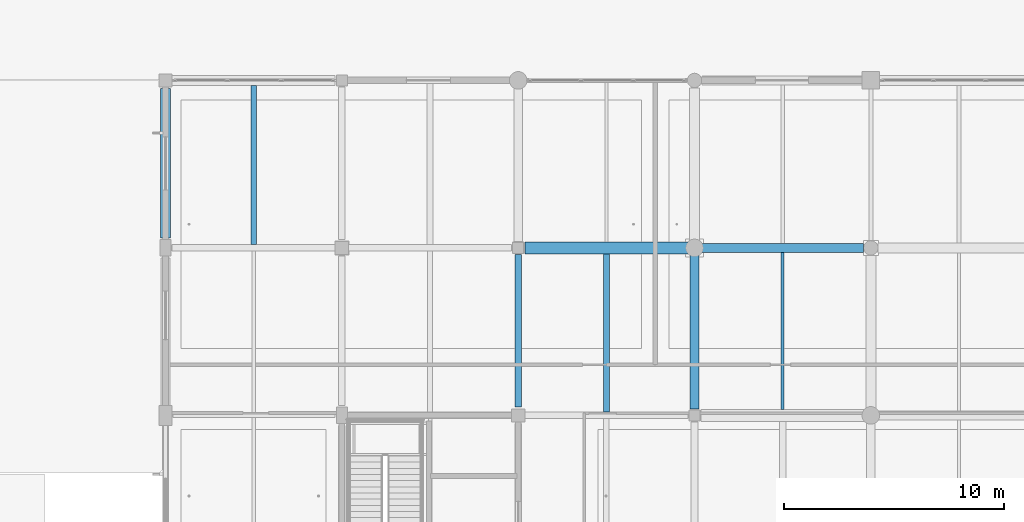
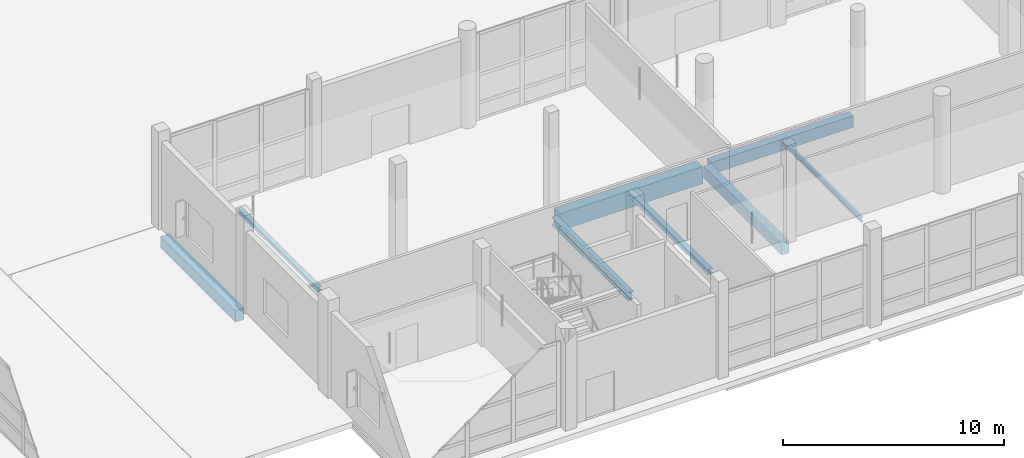
# One storey, part 17 of 126: 8 beams.
"""IFC4 building model written with IfcOpenShell, lengths in metres."""

from ifc_helpers import new_model, si_unit, direction, frame, origin, origin_2d, place, context, subcontext, project, spatial, rectangle, i_section, extrude, material, material_profile, profile_set, type_object, element, save


model = new_model("IFC4")

# Units and contexts
model_context = context("Model", 3, precision=1e-05, world=origin(), true_north=direction((0.0, 1.0)))
body_context = subcontext(model_context, "Body", "Model", "MODEL_VIEW")
ifc_project = project(units=[si_unit("LENGTHUNIT", "METRE"), si_unit("AREAUNIT", "SQUARE_METRE"), si_unit("VOLUMEUNIT", "CUBIC_METRE"), si_unit("PLANEANGLEUNIT", "RADIAN"), si_unit("MASSUNIT", "GRAM", prefix="KILO")], contexts=[model_context])

# Site, building, storey
site_placement = place(None, origin())
site = spatial("IfcSite", under=ifc_project, at=site_placement, CompositionType="ELEMENT")
building_placement = place(site_placement, origin())
building = spatial("IfcBuilding", under=site, at=building_placement, Name="Khelvaren Railside Concert Hall", CompositionType="ELEMENT")
storey_placement = place(building_placement, origin())
storey = spatial("IfcBuildingStorey", under=building, at=storey_placement, Name="L00", CompositionType="ELEMENT", Elevation=0.0)

# Beams
ifc_material_1 = material(Name="Concrete C40/50", Category="concrete")
ifc_material_profile_1 = material_profile(ifc_material_1, rectangle(XDim=0.39990234375, YDim=0.64990234375, at=origin_2d()), Name="RCB 400x650")
ifc_profile_set_1 = profile_set([ifc_material_profile_1], Name="Concrete C40/50")
beam_type_1 = type_object("IfcBeamType", Name="BM33", PredefinedType="BEAM", material=ifc_profile_set_1)
beam_1_placement = place(storey_placement, frame((88.25, 15.199951171875, -0.64501953125), z_axis=(1.0, 0.0, 0.0), x_axis=(0.0, 1.0, 0.0)))
element("IfcBeam", 1, at=beam_1_placement, inside=storey, type_object=beam_type_1, Name="V3 L00 Beam X3.4", PredefinedType="BEAM", context=body_context, shape_type="SweptSolid", body=[
    extrude(rectangle(XDim=0.39990234375, YDim=0.64990234375, at=origin_2d()), origin(), (0.0, 0.0, 1.0), 7.4140625),
])
beam_2_placement = place(storey_placement, frame((88.0, 7.89990234375, -0.64501953125), z_axis=(0.0, 1.0, 0.0), x_axis=(-1.0, 0.0, 0.0)))
element("IfcBeam", 2, at=beam_2_placement, inside=storey, type_object=beam_type_1, Name="V3 L00 Beam Y4.2", PredefinedType="BEAM", context=body_context, shape_type="SweptSolid", body=[
    extrude(rectangle(XDim=0.39990234375, YDim=0.64990234375, at=origin_2d()), origin(), (0.0, 0.0, 1.0), 7.050048828125),
])
ifc_material_2 = material(Name="Steel S355", Category="steel")
ifc_material_profile_2 = material_profile(ifc_material_2, i_section(OverallWidth=0.300048828125, OverallDepth=0.43994140625, WebThickness=0.011474609375, FlangeThickness=0.02099609375, FilletRadius=0.027099609375, at=origin_2d()), Name="HEA 450")
ifc_profile_set_2 = profile_set([ifc_material_profile_2], Name="Steel S355")
beam_type_2 = type_object("IfcBeamType", Name="BM89", PredefinedType="BEAM", material=ifc_profile_set_2)
beam_3_placement = place(storey_placement, frame((80.0, 7.97509765625, -0.5400390625), z_axis=(0.0, 1.0, 0.0), x_axis=(-1.0, 0.0, 0.0)))
element("IfcBeam", 3, at=beam_3_placement, inside=storey, type_object=beam_type_2, Name="V3 L00 Beam Y3.2", PredefinedType="BEAM", context=body_context, shape_type="SweptSolid", body=[
    extrude(i_section(OverallWidth=0.300048828125, OverallDepth=0.43994140625, WebThickness=0.011474609375, FlangeThickness=0.02099609375, FilletRadius=0.027099609375, at=origin_2d()), origin(), (0.0, 0.0, 1.0), 6.9248046875),
])
ifc_material_profile_3 = material_profile(ifc_material_1, rectangle(XDim=0.550048828125, YDim=0.949951171875, at=origin_2d()), Name="RCB 550x950")
ifc_profile_set_3 = profile_set([ifc_material_profile_3], Name="Concrete C40/50")
beam_type_3 = type_object("IfcBeamType", Name="GR57", PredefinedType="T_BEAM", material=ifc_profile_set_3)
beam_4_placement = place(storey_placement, frame((80.300048828125, 15.199951171875, -0.794921875), z_axis=(1.0, 0.0, 0.0), x_axis=(0.0, 1.0, 0.0)))
element("IfcBeam", 4, at=beam_4_placement, inside=storey, type_object=beam_type_3, Name="V3 L00 T_Beam X3.3", PredefinedType="T_BEAM", context=body_context, shape_type="SweptSolid", body=[
    extrude(rectangle(XDim=0.550048828125, YDim=0.949951171875, at=origin_2d()), origin(), (0.0, 0.0, 1.0), 7.449951171875),
])
ifc_material_profile_4 = material_profile(ifc_material_2, i_section(OverallWidth=0.280029296875, OverallDepth=0.27001953125, WebThickness=0.008056640625, FlangeThickness=0.012939453125, FilletRadius=0.02392578125, at=origin_2d()), Name="HEA 280")
ifc_profile_set_4 = profile_set([ifc_material_profile_4], Name="Steel S355")
beam_type_4 = type_object("IfcBeamType", Name="JS46", PredefinedType="JOIST", material=ifc_profile_set_4)
beam_5_placement = place(storey_placement, frame((84.0, 7.75, -0.455078125), z_axis=(0.0, 1.0, 0.0), x_axis=(-1.0, 0.0, 0.0)))
element("IfcBeam", 5, at=beam_5_placement, inside=storey, type_object=beam_type_4, Name="V3 L00 Secondary Joist 3.2", PredefinedType="JOIST", context=body_context, shape_type="SweptSolid", body=[
    extrude(i_section(OverallWidth=0.280029296875, OverallDepth=0.27001953125, WebThickness=0.008056640625, FlangeThickness=0.012939453125, FilletRadius=0.02392578125, at=origin_2d()), origin(), (0.0, 0.0, 1.0), 7.175048828125),
])
ifc_material_profile_5 = material_profile(ifc_material_2, i_section(OverallWidth=0.239990234375, OverallDepth=0.22998046875, WebThickness=0.007568359375, FlangeThickness=0.011962890625, FilletRadius=0.02099609375, at=origin_2d()), Name="HEA 240")
ifc_profile_set_5 = profile_set([ifc_material_profile_5], Name="Steel S355")
beam_type_5 = type_object("IfcBeamType", Name="JS76", PredefinedType="JOIST", material=ifc_profile_set_5)
beam_6_placement = place(storey_placement, frame((68.0, 15.35009765625, -0.43505859375), z_axis=(0.0, 1.0, 0.0), x_axis=(-1.0, 0.0, 0.0)))
element("IfcBeam", 6, at=beam_6_placement, inside=storey, type_object=beam_type_5, Name="V3 L00 Secondary Joist 1.3", PredefinedType="JOIST", context=body_context, shape_type="SweptSolid", body=[
    extrude(i_section(OverallWidth=0.239990234375, OverallDepth=0.22998046875, WebThickness=0.007568359375, FlangeThickness=0.011962890625, FilletRadius=0.02099609375, at=origin_2d()), origin(), (0.0, 0.0, 1.0), 7.224853515625),
])
ifc_material_profile_6 = material_profile(ifc_material_2, i_section(OverallWidth=0.135009765625, OverallDepth=0.27001953125, WebThickness=0.006591796875, FlangeThickness=0.01025390625, FilletRadius=0.014892578125, at=origin_2d()), Name="IPE 270")
ifc_profile_set_6 = profile_set([ifc_material_profile_6], Name="Steel S355")
beam_type_6 = type_object("IfcBeamType", Name="JS78", PredefinedType="JOIST", material=ifc_profile_set_6)
beam_7_placement = place(storey_placement, frame((92.0, 7.875, -0.455078125), z_axis=(0.0, 1.0, 0.0), x_axis=(-1.0, 0.0, 0.0)))
element("IfcBeam", 7, at=beam_7_placement, inside=storey, type_object=beam_type_6, Name="V3 L00 Secondary Joist 4.2", PredefinedType="JOIST", context=body_context, shape_type="SweptSolid", body=[
    extrude(i_section(OverallWidth=0.135009765625, OverallDepth=0.27001953125, WebThickness=0.006591796875, FlangeThickness=0.01025390625, FilletRadius=0.014892578125, at=origin_2d()), origin(), (0.0, 0.0, 1.0), 7.125),
])
ifc_material_profile_7 = material_profile(ifc_material_1, rectangle(XDim=0.449951171875, YDim=0.64990234375, at=origin_2d()), Name="RCB 450x650")
ifc_profile_set_7 = profile_set([ifc_material_profile_7], Name="Concrete C40/50")
beam_type_7 = type_object("IfcBeamType", Name="SP34", PredefinedType="SPANDREL", material=ifc_profile_set_7)
beam_8_placement = place(storey_placement, frame((64.0, 15.64990234375, -0.64501953125), z_axis=(0.0, 1.0, 0.0), x_axis=(-1.0, 0.0, 0.0)))
element("IfcBeam", 8, at=beam_8_placement, inside=storey, type_object=beam_type_7, Name="V3 L00 Spandrel Y1.3", PredefinedType="SPANDREL", context=body_context, shape_type="SweptSolid", body=[
    extrude(rectangle(XDim=0.449951171875, YDim=0.64990234375, at=origin_2d()), origin(), (0.0, 0.0, 1.0), 6.775146484375),
])

save(model, "model.ifc")
